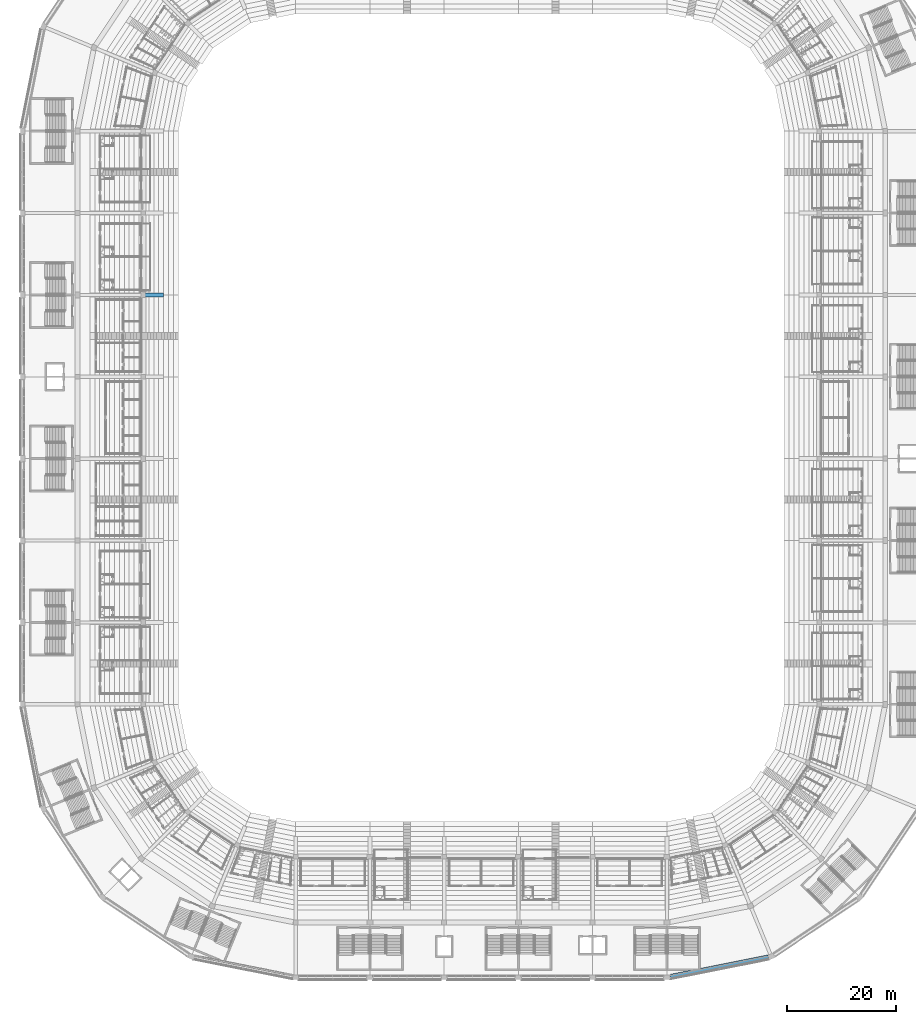
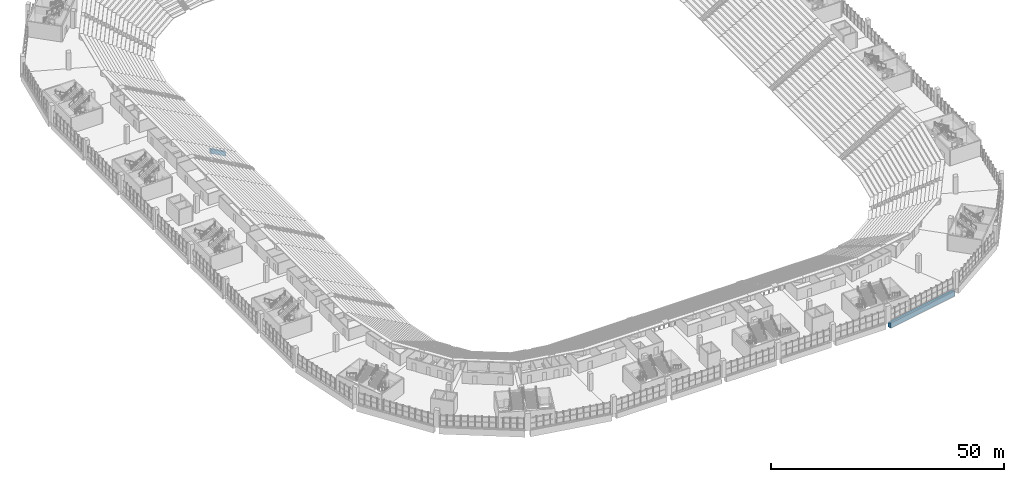
# One storey, part 25 of 249: 2 beams.
"""IFC4 building model written with IfcOpenShell, lengths in metres."""

import ifcopenshell
import ifcopenshell.guid

model = None  # the IFC model being written
_history = None  # IfcOwnerHistory: only IFC2X3 demands one
_inside = {}  # id of a spatial element -> (the spatial element, [elements in it])
_under = {}  # id of a project, library or spatial element -> (it, [spatial elements below it])
_declared = {}  # id of a project -> (the project, [libraries it declares])
_typed = {}  # id of a type object -> (the type object, [elements of that type])
_made_of = {}  # id of a material, layer set ... -> (it, [elements and type objects made of it])


def new_model(schema):
    """Start an empty IFC model of exactly this schema.

    Asked for "IFC4X3", IfcOpenShell would pick the latest addendum, in which some entities
    have other attributes; the version numbers below select the first issue.
    IFC2X3 requires an IfcOwnerHistory on every rooted entity: one is made here for all.
    """
    global model, _history
    if schema == "IFC4X3":
        model = ifcopenshell.file(schema_version=(4, 3, 0, 0))
    else:
        model = ifcopenshell.file(schema=schema)
    _inside.clear()
    _under.clear()
    _declared.clear()
    _typed.clear()
    _made_of.clear()
    _history = None
    if model.schema == "IFC2X3":
        org = make("IfcOrganization", Name="unknown")
        user = make(
            "IfcPersonAndOrganization",
            ThePerson=make("IfcPerson", FamilyName="unknown"),
            TheOrganization=org,
        )
        app = make(
            "IfcApplication",
            ApplicationDeveloper=org,
            Version="unknown",
            ApplicationFullName="unknown",
            ApplicationIdentifier="unknown",
        )
        _history = make(
            "IfcOwnerHistory",
            OwningUser=user,
            OwningApplication=app,
            ChangeAction="ADDED",
            CreationDate=0,
        )
    return model


def make(cls, **values):
    """One entity of the class cls with the attributes given. An attribute that is None is left unset."""
    return model.create_entity(
        cls, **{name: value for name, value in values.items() if value is not None}
    )


def rooted(cls, **values):
    """An entity with a GlobalId (a new one), such as an element, a storey or a relation."""
    return make(cls, GlobalId=ifcopenshell.guid.new(), OwnerHistory=_history, **values)


def si_unit(unit_type, name, prefix=None):
    """IfcSIUnit, for example si_unit("LENGTHUNIT", "METRE", prefix="MILLI")."""
    return make("IfcSIUnit", UnitType=unit_type, Prefix=prefix, Name=name)


def assignment(units):
    """IfcUnitAssignment: the units of a project."""
    return None if units is None else make("IfcUnitAssignment", Units=units)


def point(xyz):
    """IfcCartesianPoint."""
    return None if xyz is None else make("IfcCartesianPoint", Coordinates=xyz)


def direction(xyz):
    """IfcDirection."""
    return None if xyz is None else make("IfcDirection", DirectionRatios=xyz)


def frame(location, z_axis=None, x_axis=None):
    """IfcAxis2Placement3D, a coordinate frame: its origin and axes. An axis left out is left unset."""
    return make(
        "IfcAxis2Placement3D",
        Location=point(location),
        Axis=direction(z_axis),
        RefDirection=direction(x_axis),
    )


def frame_2d(location, x_axis=None):
    """IfcAxis2Placement2D, a coordinate frame in the plane: its origin and x axis."""
    return make(
        "IfcAxis2Placement2D", Location=point(location), RefDirection=direction(x_axis)
    )


def origin():
    """The frame at (0, 0, 0) with its axes left unset."""
    return frame((0.0, 0.0, 0.0))


def origin_2d():
    """The frame at (0, 0) in the plane with its x axis left unset."""
    return frame_2d((0.0, 0.0))


def place(relative_to, where):
    """IfcLocalPlacement: puts the frame where relative to a parent placement (None: the world)."""
    return make(
        "IfcLocalPlacement", PlacementRelTo=relative_to, RelativePlacement=where
    )


def context(
    kind, dimensions, precision=None, world=None, true_north=None, identifier=None
):
    """IfcGeometricRepresentationContext, for example the 3D "Model" context."""
    return make(
        "IfcGeometricRepresentationContext",
        ContextIdentifier=identifier,
        ContextType=kind,
        CoordinateSpaceDimension=dimensions,
        Precision=precision,
        WorldCoordinateSystem=world,
        TrueNorth=true_north,
    )


def subcontext(parent, identifier, kind, view, scale=None):
    """IfcGeometricRepresentationSubContext, for example "Body" below "Model"."""
    return make(
        "IfcGeometricRepresentationSubContext",
        ContextIdentifier=identifier,
        ContextType=kind,
        ParentContext=parent,
        TargetScale=scale,
        TargetView=view,
    )


def project(units=None, contexts=None):
    """IfcProject with its units and contexts."""
    return rooted(
        "IfcProject",
        Name="project",
        RepresentationContexts=contexts,
        UnitsInContext=assignment(units),
    )


def spatial(cls, under=None, at=None, **own):
    """A site, building, storey or space (cls), placed at a placement, below another one or the project."""
    s = rooted(cls, ObjectPlacement=at, **own)
    if under is not None:
        _under.setdefault(under.id(), (under, []))[1].append(s)
    return s


def polyline(points):
    """IfcPolyline through the points."""
    return make("IfcPolyline", Points=[point(p) for p in points])


def profile(cls, at=None, kind="AREA", **sizes):
    """A parametric profile (cls). Its sizes go by their IFC names, for example OverallWidth=200.0."""
    return make(cls, ProfileType=kind, Position=at, **sizes)


def rectangle(**sizes):
    """IfcRectangleProfileDef."""
    return profile("IfcRectangleProfileDef", **sizes)


def outline(outer, holes=None, kind="AREA"):
    """IfcArbitraryClosedProfileDef: a profile drawn as a closed curve; with holes, ...WithVoids."""
    if holes is None:
        return make("IfcArbitraryClosedProfileDef", ProfileType=kind, OuterCurve=outer)
    return make(
        "IfcArbitraryProfileDefWithVoids",
        ProfileType=kind,
        OuterCurve=outer,
        InnerCurves=holes,
    )


def extrude(swept, where, along, depth):
    """IfcExtrudedAreaSolid: the profile swept, set in the frame where, extruded along a direction by depth."""
    return make(
        "IfcExtrudedAreaSolid",
        SweptArea=swept,
        Position=where,
        ExtrudedDirection=direction(along),
        Depth=depth,
    )


def shape(context_of_items, identifier, shape_type, items):
    """IfcShapeRepresentation: the items that make up one representation, for example the "Body"."""
    return make(
        "IfcShapeRepresentation",
        ContextOfItems=context_of_items,
        RepresentationIdentifier=identifier,
        RepresentationType=shape_type,
        Items=items,
    )


def material(Name=None, Category=None):
    """IfcMaterial."""
    return make("IfcMaterial", Name=Name, Category=Category)


def material_profile(
    of_material, cross_section, Name=None, Category=None, Priority=None
):
    """IfcMaterialProfile: a cross section and its material."""
    return make(
        "IfcMaterialProfile",
        Name=Name,
        Material=of_material,
        Profile=cross_section,
        Priority=Priority,
        Category=Category,
    )


def profile_set(profiles, Name=None, composite=None):
    """IfcMaterialProfileSet."""
    return make(
        "IfcMaterialProfileSet",
        Name=Name,
        MaterialProfiles=profiles,
        CompositeProfile=composite,
    )


def made_of(thing, what):
    """Note that an element or type object is made of a material, layer set ...; save() writes the relation."""
    if what is not None:
        _made_of.setdefault(what.id(), (what, []))[1].append(thing)
    return thing


def type_object(cls, material=None, **own):
    """A type object (cls), such as IfcWallType, which elements share."""
    return made_of(rooted(cls, **own), material)


def element(
    cls,
    number,
    at=None,
    inside=None,
    cuts=None,
    type_object=None,
    material=None,
    context=None,
    identifier="Body",
    shape_type=None,
    held_by="IfcProductDefinitionShape",
    body=None,
    shapes=None,
    **own,
):
    """One element of the class cls, such as IfcWall. Its Tag is "e" and its number.

    at: its placement. inside: the storey or other place that contains it. cuts: it is an
    opening in that element (IfcRelVoidsElement). A single representation is given by context,
    identifier, shape_type and body (its items); several are given by shapes. held_by: the class
    of the entity that holds the representations. save() writes the other relations.
    """
    e = rooted(cls, Tag="e%d" % number, ObjectPlacement=at, **own)
    if body is not None:
        shapes = [shape(context, identifier, shape_type, body)]
    if shapes is not None:
        e.Representation = make(held_by, Representations=shapes)
    if inside is not None:
        _inside.setdefault(inside.id(), (inside, []))[1].append(e)
    if cuts is not None:
        rooted(
            "IfcRelVoidsElement", RelatingBuildingElement=cuts, RelatedOpeningElement=e
        )
    if type_object is not None:
        _typed.setdefault(type_object.id(), (type_object, []))[1].append(e)
    return made_of(e, material)


def aggregate(whole, parts):
    """IfcRelAggregates: a whole, such as a stair, and the parts it consists of."""
    return rooted("IfcRelAggregates", RelatingObject=whole, RelatedObjects=parts)


def save(model, path):
    """Write the relations noted so far, then the file.

    IfcRelAggregates (storeys below a building ...), IfcRelContainedInSpatialStructure (elements
    in a storey), IfcRelDefinesByType, IfcRelAssociatesMaterial and IfcRelDeclares: one each for
    every whole, place, type object, material and project.
    """
    for whole, parts in _under.values():
        aggregate(whole, parts)
    for where, things in _inside.values():
        rooted(
            "IfcRelContainedInSpatialStructure",
            RelatedElements=things,
            RelatingStructure=where,
        )
    for kind, things in _typed.values():
        rooted("IfcRelDefinesByType", RelatedObjects=things, RelatingType=kind)
    for what, things in _made_of.values():
        rooted("IfcRelAssociatesMaterial", RelatedObjects=things, RelatingMaterial=what)
    for by, libraries in _declared.values():
        rooted("IfcRelDeclares", RelatingContext=by, RelatedDefinitions=libraries)
    model.write(path)


model = new_model("IFC4")

# Units and contexts
model_context = context("Model", 3, precision=1e-05, world=origin(), true_north=direction((0.0, 1.0)))
body_context = subcontext(model_context, "Body", "Model", "MODEL_VIEW")
ifc_project = project(units=[si_unit("LENGTHUNIT", "METRE"), si_unit("AREAUNIT", "SQUARE_METRE"), si_unit("VOLUMEUNIT", "CUBIC_METRE"), si_unit("PLANEANGLEUNIT", "RADIAN"), si_unit("MASSUNIT", "GRAM", prefix="KILO")], contexts=[model_context])

# Site, building, storey
site_placement = place(None, origin())
site = spatial("IfcSite", under=ifc_project, at=site_placement, CompositionType="ELEMENT")
building_placement = place(site_placement, origin())
building = spatial("IfcBuilding", under=site, at=building_placement, Name="Ogive Plaza Stadium", CompositionType="ELEMENT")
storey_placement = place(building_placement, frame((0.0, 0.0, 13.5)))
storey = spatial("IfcBuildingStorey", under=building, at=storey_placement, Name="L03", CompositionType="ELEMENT", Elevation=13.5)

# Beams
ifc_material_1 = material(Name="Concrete C45/55 precast", Category="concrete")
ifc_material_profile_1 = material_profile(ifc_material_1, rectangle(XDim=0.699951171875, YDim=1.10009765625, at=origin_2d()), Name="RC 700x1100")
ifc_profile_set_1 = profile_set([ifc_material_profile_1], Name="Concrete C45/55 precast")
beam_type_1 = type_object("IfcBeamType", Name="Precast raker UT cantilever 700x1100", PredefinedType="USERDEFINED", material=ifc_profile_set_1)
beam_1_placement = place(storey_placement, frame((-34.0, 22.5, -13.5), z_axis=(0.0, 0.0, 1.0), x_axis=(-1.0, 0.0, 0.0)))
element("IfcBeam", 1, at=beam_1_placement, inside=storey, type_object=beam_type_1, Name="RAKER UT CANTILEVER R26", ObjectType="RAKER", PredefinedType="USERDEFINED", context=body_context, shape_type="SweptSolid", body=[
    extrude(outline(polyline([(24.199951171875, 13.699951171875), (27.5, 15.533203125), (27.89990234375, 15.533203125), (27.89990234375, 16.855712890625), (24.199951171875, 14.800048828125), (24.199951171875, 13.699951171875)])), frame((0.0, 0.35009765625, 0.0), z_axis=(0.0, -1.0, 0.0), x_axis=(1.0, 0.0, 0.0)), (0.0, 0.0, 1.0), 0.699951171875),
])
ifc_material_2 = material(Name="Concrete C40/50", Category="concrete")
ifc_material_profile_2 = material_profile(ifc_material_2, rectangle(XDim=0.800048828125, YDim=1.300048828125, at=origin_2d()), Name="RC 800x1300")
ifc_profile_set_2 = profile_set([ifc_material_profile_2], Name="Concrete C40/50")
beam_type_2 = type_object("IfcBeamType", Name="RC spandrel beam 800x1300", PredefinedType="SPANDREL", material=ifc_profile_set_2)
beam_2_placement = place(storey_placement, frame((52.584228515625, -98.803466796875, -1.06005859375), z_axis=(-0.980786507619, -0.195084152283, 0.0), x_axis=(0.195084152283, -0.980786507619, 0.0)))
element("IfcBeam", 2, at=beam_2_placement, inside=storey, type_object=beam_type_2, Name="Ring beam F5 L03 B11", PredefinedType="SPANDREL", context=body_context, shape_type="SweptSolid", body=[
    extrude(rectangle(XDim=0.800048828125, YDim=1.300048828125, at=origin_2d()), origin(), (0.0, 0.0, 1.0), 18.33642578125),
])

save(model, "model.ifc")
